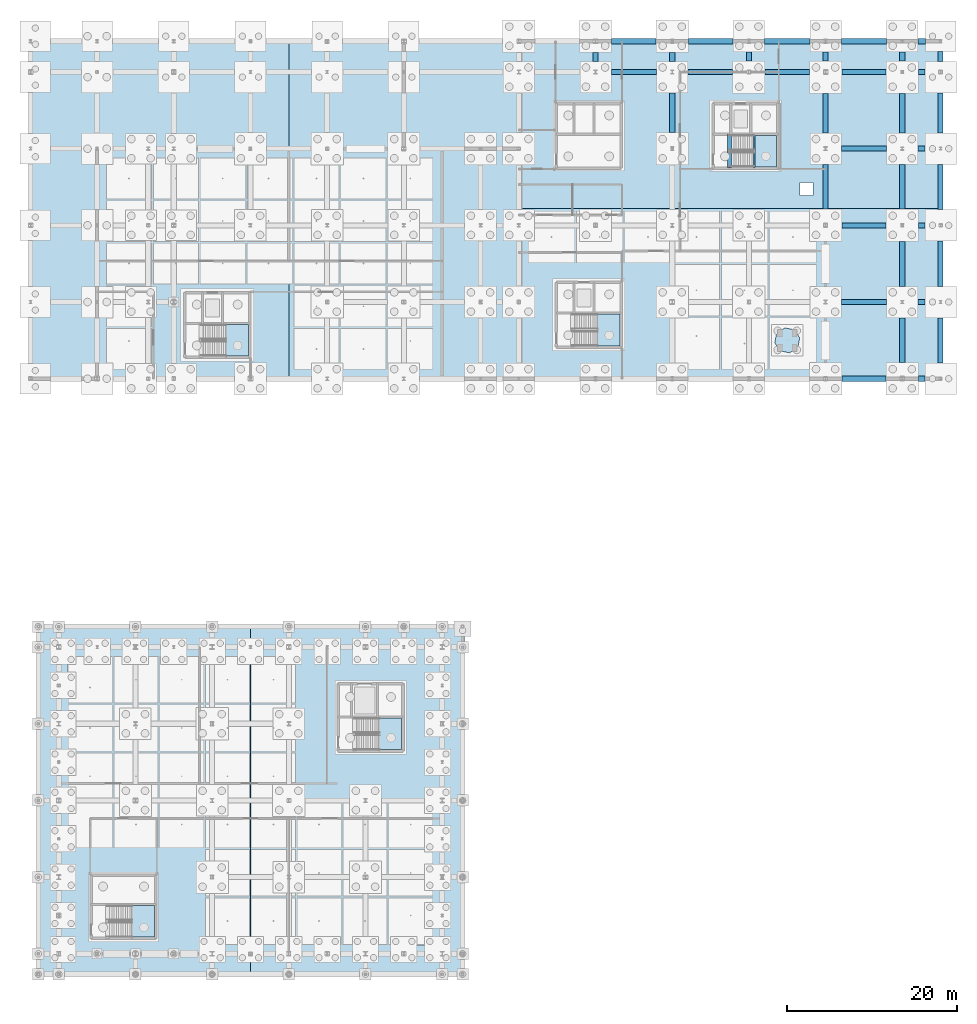
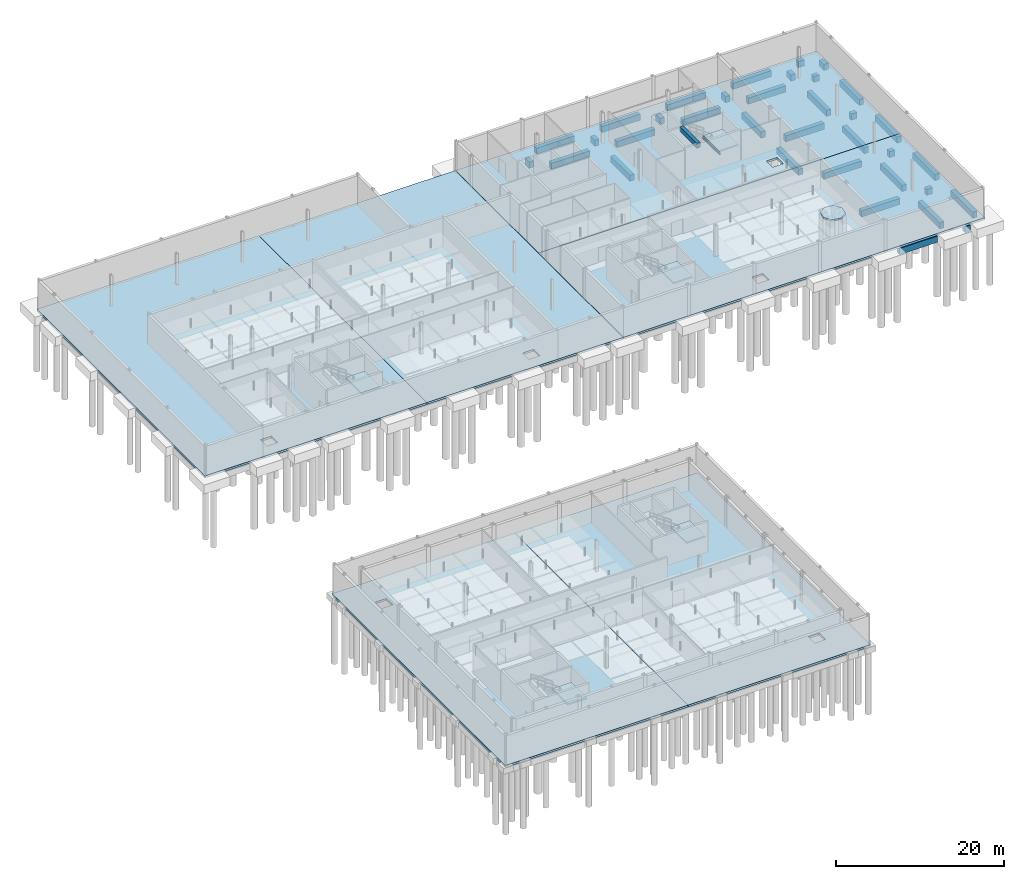
# One storey, part 20 of 48: 37 beams, 12 slabs, 5 elements without a shape of their own.
"""IFC4 building model written with IfcOpenShell, lengths in metres."""

from ifc_helpers import new_model, si_unit, direction, frame, origin, origin_2d, place, context, subcontext, project, spatial, polyline, rectangle, i_section, outline, extrude, material, layer, layer_set, material_profile, profile_set, type_object, element, aggregate, save


model = new_model("IFC4")

# Units and contexts
model_context = context("Model", 3, precision=1e-05, world=origin(), true_north=direction((0.0, 1.0)))
body_context = subcontext(model_context, "Body", "Model", "MODEL_VIEW")
ifc_project = project(units=[si_unit("LENGTHUNIT", "METRE"), si_unit("AREAUNIT", "SQUARE_METRE"), si_unit("VOLUMEUNIT", "CUBIC_METRE"), si_unit("PLANEANGLEUNIT", "RADIAN"), si_unit("MASSUNIT", "GRAM", prefix="KILO"), si_unit("THERMODYNAMICTEMPERATUREUNIT", "KELVIN"), si_unit("POWERUNIT", "WATT")], contexts=[model_context])

# Site, building, storey
site_placement = place(None, origin())
site = spatial("IfcSite", under=ifc_project, at=site_placement, CompositionType="ELEMENT")
building_placement = place(site_placement, origin())
building = spatial("IfcBuilding", under=site, at=building_placement, Name="Tallowbark Science Centre", CompositionType="ELEMENT")
storey_placement = place(building_placement, frame((0.0, 0.0, -4.5)))
storey = spatial("IfcBuildingStorey", under=building, at=storey_placement, Name="B1", CompositionType="ELEMENT", Elevation=-4.5)

# Beams
ifc_material_1 = material(Name="Concrete Grade N40 (40 MPa)", Category="concrete")
ifc_material_profile_1 = material_profile(ifc_material_1, rectangle(XDim=0.60009765625, YDim=0.89990234375, at=origin_2d()), Name="RC600x900")
ifc_profile_set_1 = profile_set([ifc_material_profile_1], Name="Concrete Grade N40 (40 MPa)")
beam_type_1 = type_object("IfcBeamType", Name="BM-GB-N40", PredefinedType="BEAM", material=ifc_profile_set_1)
beam_1_placement = place(storey_placement, frame((150.39990234375, 72.0, -0.75), z_axis=(1.0, 0.0, 0.0), x_axis=(0.0, 1.0, 0.0)))
element("IfcBeam", 1, at=beam_1_placement, inside=storey, type_object=beam_type_1, Name="Ground Tie Beam GB-X-66", PredefinedType="BEAM", context=body_context, shape_type="SweptSolid", body=[
    extrude(rectangle(XDim=0.60009765625, YDim=0.89990234375, at=origin_2d()), origin(), (0.0, 0.0, 1.0), 5.2001953125),
])
beam_2_placement = place(storey_placement, frame((159.39990234375, 72.0, -0.75), z_axis=(1.0, 0.0, 0.0), x_axis=(0.0, 1.0, 0.0)))
element("IfcBeam", 2, at=beam_2_placement, inside=storey, type_object=beam_type_1, Name="Ground Tie Beam GB-X-67", PredefinedType="BEAM", context=body_context, shape_type="SweptSolid", body=[
    extrude(rectangle(XDim=0.60009765625, YDim=0.89990234375, at=origin_2d()), origin(), (0.0, 0.0, 1.0), 0.75),
])
beam_3_placement = place(storey_placement, frame((150.35009765625, 81.0, -0.75), z_axis=(1.0, 0.0, 0.0), x_axis=(0.0, 1.0, 0.0)))
element("IfcBeam", 3, at=beam_3_placement, inside=storey, type_object=beam_type_1, Name="Ground Tie Beam GB-X-76", PredefinedType="BEAM", context=body_context, shape_type="SweptSolid", body=[
    extrude(rectangle(XDim=0.60009765625, YDim=0.89990234375, at=origin_2d()), origin(), (0.0, 0.0, 1.0), 5.2998046875),
])
beam_4_placement = place(storey_placement, frame((159.35009765625, 81.0, -0.75), z_axis=(1.0, 0.0, 0.0), x_axis=(0.0, 1.0, 0.0)))
element("IfcBeam", 4, at=beam_4_placement, inside=storey, type_object=beam_type_1, Name="Ground Tie Beam GB-X-77", PredefinedType="BEAM", context=body_context, shape_type="SweptSolid", body=[
    extrude(rectangle(XDim=0.60009765625, YDim=0.89990234375, at=origin_2d()), origin(), (0.0, 0.0, 1.0), 0.7998046875),
])
beam_5_placement = place(storey_placement, frame((150.39990234375, 90.0, -0.75), z_axis=(1.0, 0.0, 0.0), x_axis=(0.0, 1.0, 0.0)))
element("IfcBeam", 5, at=beam_5_placement, inside=storey, type_object=beam_type_1, Name="Ground Tie Beam GB-X-90", PredefinedType="BEAM", context=body_context, shape_type="SweptSolid", body=[
    extrude(rectangle(XDim=0.60009765625, YDim=0.89990234375, at=origin_2d()), origin(), (0.0, 0.0, 1.0), 5.2001953125),
])
beam_6_placement = place(storey_placement, frame((159.39990234375, 90.0, -0.75), z_axis=(1.0, 0.0, 0.0), x_axis=(0.0, 1.0, 0.0)))
element("IfcBeam", 6, at=beam_6_placement, inside=storey, type_object=beam_type_1, Name="Ground Tie Beam GB-X-91", PredefinedType="BEAM", context=body_context, shape_type="SweptSolid", body=[
    extrude(rectangle(XDim=0.60009765625, YDim=0.89990234375, at=origin_2d()), origin(), (0.0, 0.0, 1.0), 0.75),
])
beam_7_placement = place(storey_placement, frame((150.35009765625, 99.0, -0.75), z_axis=(1.0, 0.0, 0.0), x_axis=(0.0, 1.0, 0.0)))
element("IfcBeam", 7, at=beam_7_placement, inside=storey, type_object=beam_type_1, Name="Ground Tie Beam GB-X-98", PredefinedType="BEAM", context=body_context, shape_type="SweptSolid", body=[
    extrude(rectangle(XDim=0.60009765625, YDim=0.89990234375, at=origin_2d()), origin(), (0.0, 0.0, 1.0), 5.2998046875),
])
beam_8_placement = place(storey_placement, frame((159.35009765625, 99.0, -0.75), z_axis=(1.0, 0.0, 0.0), x_axis=(0.0, 1.0, 0.0)))
element("IfcBeam", 8, at=beam_8_placement, inside=storey, type_object=beam_type_1, Name="Ground Tie Beam GB-X-99", PredefinedType="BEAM", context=body_context, shape_type="SweptSolid", body=[
    extrude(rectangle(XDim=0.60009765625, YDim=0.89990234375, at=origin_2d()), origin(), (0.0, 0.0, 1.0), 0.7998046875),
])
beam_9_placement = place(storey_placement, frame((123.35009765625, 108.0, -0.75), z_axis=(1.0, 0.0, 0.0), x_axis=(0.0, 1.0, 0.0)))
element("IfcBeam", 9, at=beam_9_placement, inside=storey, type_object=beam_type_1, Name="Ground Tie Beam GB-X-107", PredefinedType="BEAM", context=body_context, shape_type="SweptSolid", body=[
    extrude(rectangle(XDim=0.60009765625, YDim=0.89990234375, at=origin_2d()), origin(), (0.0, 0.0, 1.0), 5.2998046875),
])
beam_10_placement = place(storey_placement, frame((132.35009765625, 108.0, -0.75), z_axis=(1.0, 0.0, 0.0), x_axis=(0.0, 1.0, 0.0)))
element("IfcBeam", 10, at=beam_10_placement, inside=storey, type_object=beam_type_1, Name="Ground Tie Beam GB-X-108", PredefinedType="BEAM", context=body_context, shape_type="SweptSolid", body=[
    extrude(rectangle(XDim=0.60009765625, YDim=0.89990234375, at=origin_2d()), origin(), (0.0, 0.0, 1.0), 5.25),
])
for number, where, z_axis, x_axis, name in (
    (11, (141.39990234375, 108.0, -0.75), (1.0, 0.0, 0.0), (0.0, 1.0, 0.0), "Ground Tie Beam GB-X-109"),
    (12, (150.39990234375, 108.0, -0.75), (1.0, 0.0, 0.0), (0.0, 1.0, 0.0), "Ground Tie Beam GB-X-110"),
):
    element("IfcBeam", number, at=place(storey_placement, frame(where, z_axis=z_axis, x_axis=x_axis)), inside=storey, type_object=beam_type_1, Name=name, PredefinedType="BEAM", context=body_context, shape_type="SweptSolid", body=[
        extrude(rectangle(XDim=0.60009765625, YDim=0.89990234375, at=origin_2d()), origin(), (0.0, 0.0, 1.0), 5.2001953125),
    ])
beam_11_placement = place(storey_placement, frame((159.39990234375, 108.0, -0.75), z_axis=(1.0, 0.0, 0.0), x_axis=(0.0, 1.0, 0.0)))
element("IfcBeam", 13, at=beam_11_placement, inside=storey, type_object=beam_type_1, Name="Ground Tie Beam GB-X-111", PredefinedType="BEAM", context=body_context, shape_type="SweptSolid", body=[
    extrude(rectangle(XDim=0.60009765625, YDim=0.89990234375, at=origin_2d()), origin(), (0.0, 0.0, 1.0), 0.75),
])
beam_12_placement = place(storey_placement, frame((123.39990234375, 111.60009765625, -0.75), z_axis=(1.0, 0.0, 0.0), x_axis=(0.0, 1.0, 0.0)))
element("IfcBeam", 14, at=beam_12_placement, inside=storey, type_object=beam_type_1, Name="Ground Tie Beam GB-X-119", PredefinedType="BEAM", context=body_context, shape_type="SweptSolid", body=[
    extrude(rectangle(XDim=0.60009765625, YDim=0.89990234375, at=origin_2d()), origin(), (0.0, 0.0, 1.0), 5.2001953125),
])
beam_13_placement = place(storey_placement, frame((132.39990234375, 111.60009765625, -0.75), z_axis=(1.0, 0.0, 0.0), x_axis=(0.0, 1.0, 0.0)))
element("IfcBeam", 15, at=beam_13_placement, inside=storey, type_object=beam_type_1, Name="Ground Tie Beam GB-X-120", PredefinedType="BEAM", context=body_context, shape_type="SweptSolid", body=[
    extrude(rectangle(XDim=0.60009765625, YDim=0.89990234375, at=origin_2d()), origin(), (0.0, 0.0, 1.0), 5.25),
])
for number, where, z_axis, x_axis, name in (
    (16, (141.35009765625, 111.60009765625, -0.75), (1.0, 0.0, 0.0), (0.0, 1.0, 0.0), "Ground Tie Beam GB-X-121"),
    (17, (150.35009765625, 111.60009765625, -0.75), (1.0, 0.0, 0.0), (0.0, 1.0, 0.0), "Ground Tie Beam GB-X-122"),
):
    element("IfcBeam", number, at=place(storey_placement, frame(where, z_axis=z_axis, x_axis=x_axis)), inside=storey, type_object=beam_type_1, Name=name, PredefinedType="BEAM", context=body_context, shape_type="SweptSolid", body=[
        extrude(rectangle(XDim=0.60009765625, YDim=0.89990234375, at=origin_2d()), origin(), (0.0, 0.0, 1.0), 5.2998046875),
    ])
beam_14_placement = place(storey_placement, frame((159.35009765625, 111.60009765625, -0.75), z_axis=(1.0, 0.0, 0.0), x_axis=(0.0, 1.0, 0.0)))
element("IfcBeam", 18, at=beam_14_placement, inside=storey, type_object=beam_type_1, Name="Ground Tie Beam GB-X-123", PredefinedType="BEAM", context=body_context, shape_type="SweptSolid", body=[
    extrude(rectangle(XDim=0.60009765625, YDim=0.89990234375, at=origin_2d()), origin(), (0.0, 0.0, 1.0), 0.849853515625),
])
beam_15_placement = place(storey_placement, frame((121.5, 109.25, -0.75), z_axis=(0.0, 1.0, 0.0), x_axis=(-1.0, 0.0, 0.0)))
element("IfcBeam", 19, at=beam_15_placement, inside=storey, type_object=beam_type_1, Name="Ground Tie Beam GB-Y-215", PredefinedType="BEAM", context=body_context, shape_type="SweptSolid", body=[
    extrude(rectangle(XDim=0.60009765625, YDim=0.89990234375, at=origin_2d()), origin(), (0.0, 0.0, 1.0), 1.050048828125),
])
beam_16_placement = place(storey_placement, frame((130.5, 100.89990234375, -0.75), z_axis=(0.0, 1.0, 0.0), x_axis=(-1.0, 0.0, 0.0)))
element("IfcBeam", 20, at=beam_16_placement, inside=storey, type_object=beam_type_1, Name="Ground Tie Beam GB-Y-219", PredefinedType="BEAM", context=body_context, shape_type="SweptSolid", body=[
    extrude(rectangle(XDim=0.60009765625, YDim=0.89990234375, at=origin_2d()), origin(), (0.0, 0.0, 1.0), 4.650146484375),
])
for number, where, z_axis, x_axis, name in (
    (21, (130.5, 109.25, -0.75), (0.0, 1.0, 0.0), (-1.0, 0.0, 0.0), "Ground Tie Beam GB-Y-220"),
    (22, (139.5, 109.300048828125, -0.75), (0.0, 1.0, 0.0), (-1.0, 0.0, 0.0), "Ground Tie Beam GB-Y-223"),
):
    element("IfcBeam", number, at=place(storey_placement, frame(where, z_axis=z_axis, x_axis=x_axis)), inside=storey, type_object=beam_type_1, Name=name, PredefinedType="BEAM", context=body_context, shape_type="SweptSolid", body=[
        extrude(rectangle(XDim=0.60009765625, YDim=0.89990234375, at=origin_2d()), origin(), (0.0, 0.0, 1.0), 1.050048828125),
    ])
beam_17_placement = place(storey_placement, frame((148.5, 91.89990234375, -0.75), z_axis=(0.0, 1.0, 0.0), x_axis=(-1.0, 0.0, 0.0)))
element("IfcBeam", 23, at=beam_17_placement, inside=storey, type_object=beam_type_1, Name="Ground Tie Beam GB-Y-224", PredefinedType="BEAM", context=body_context, shape_type="SweptSolid", body=[
    extrude(rectangle(XDim=0.60009765625, YDim=0.89990234375, at=origin_2d()), origin(), (0.0, 0.0, 1.0), 5.25),
])
beam_18_placement = place(storey_placement, frame((148.5, 100.85009765625, -0.75), z_axis=(0.0, 1.0, 0.0), x_axis=(-1.0, 0.0, 0.0)))
element("IfcBeam", 24, at=beam_18_placement, inside=storey, type_object=beam_type_1, Name="Ground Tie Beam GB-Y-225", PredefinedType="BEAM", context=body_context, shape_type="SweptSolid", body=[
    extrude(rectangle(XDim=0.60009765625, YDim=0.89990234375, at=origin_2d()), origin(), (0.0, 0.0, 1.0), 4.64990234375),
])
beam_19_placement = place(storey_placement, frame((148.5, 109.300048828125, -0.75), z_axis=(0.0, 1.0, 0.0), x_axis=(-1.0, 0.0, 0.0)))
element("IfcBeam", 25, at=beam_19_placement, inside=storey, type_object=beam_type_1, Name="Ground Tie Beam GB-Y-226", PredefinedType="BEAM", context=body_context, shape_type="SweptSolid", body=[
    extrude(rectangle(XDim=0.60009765625, YDim=0.89990234375, at=origin_2d()), origin(), (0.0, 0.0, 1.0), 1.050048828125),
])
for number, where, z_axis, x_axis, name in (
    (26, (157.5, 73.89990234375, -0.75), (0.0, 1.0, 0.0), (-1.0, 0.0, 0.0), "Ground Tie Beam GB-Y-227"),
    (27, (157.5, 82.85009765625, -0.75), (0.0, 1.0, 0.0), (-1.0, 0.0, 0.0), "Ground Tie Beam GB-Y-228"),
    (28, (157.5, 91.89990234375, -0.75), (0.0, 1.0, 0.0), (-1.0, 0.0, 0.0), "Ground Tie Beam GB-Y-229"),
):
    element("IfcBeam", number, at=place(storey_placement, frame(where, z_axis=z_axis, x_axis=x_axis)), inside=storey, type_object=beam_type_1, Name=name, PredefinedType="BEAM", context=body_context, shape_type="SweptSolid", body=[
        extrude(rectangle(XDim=0.60009765625, YDim=0.89990234375, at=origin_2d()), origin(), (0.0, 0.0, 1.0), 5.25),
    ])
beam_20_placement = place(storey_placement, frame((157.5, 100.85009765625, -0.75), z_axis=(0.0, 1.0, 0.0), x_axis=(-1.0, 0.0, 0.0)))
element("IfcBeam", 29, at=beam_20_placement, inside=storey, type_object=beam_type_1, Name="Ground Tie Beam GB-Y-230", PredefinedType="BEAM", context=body_context, shape_type="SweptSolid", body=[
    extrude(rectangle(XDim=0.60009765625, YDim=0.89990234375, at=origin_2d()), origin(), (0.0, 0.0, 1.0), 4.64990234375),
])
beam_21_placement = place(storey_placement, frame((157.5, 109.300048828125, -0.75), z_axis=(0.0, 1.0, 0.0), x_axis=(-1.0, 0.0, 0.0)))
element("IfcBeam", 30, at=beam_21_placement, inside=storey, type_object=beam_type_1, Name="Ground Tie Beam GB-Y-231", PredefinedType="BEAM", context=body_context, shape_type="SweptSolid", body=[
    extrude(rectangle(XDim=0.60009765625, YDim=0.89990234375, at=origin_2d()), origin(), (0.0, 0.0, 1.0), 1.050048828125),
])
for number, where, z_axis, x_axis, name in (
    (31, (162.0, 73.85009765625, -0.75), (0.0, 1.0, 0.0), (-1.0, 0.0, 0.0), "Ground Tie Beam GB-Y-232"),
    (32, (162.0, 82.85009765625, -0.75), (0.0, 1.0, 0.0), (-1.0, 0.0, 0.0), "Ground Tie Beam GB-Y-233"),
    (33, (162.0, 91.85009765625, -0.75), (0.0, 1.0, 0.0), (-1.0, 0.0, 0.0), "Ground Tie Beam GB-Y-234"),
):
    element("IfcBeam", number, at=place(storey_placement, frame(where, z_axis=z_axis, x_axis=x_axis)), inside=storey, type_object=beam_type_1, Name=name, PredefinedType="BEAM", context=body_context, shape_type="SweptSolid", body=[
        extrude(rectangle(XDim=0.60009765625, YDim=0.89990234375, at=origin_2d()), origin(), (0.0, 0.0, 1.0), 5.2998046875),
    ])
beam_22_placement = place(storey_placement, frame((162.0, 100.85009765625, -0.75), z_axis=(0.0, 1.0, 0.0), x_axis=(-1.0, 0.0, 0.0)))
element("IfcBeam", 34, at=beam_22_placement, inside=storey, type_object=beam_type_1, Name="Ground Tie Beam GB-Y-235", PredefinedType="BEAM", context=body_context, shape_type="SweptSolid", body=[
    extrude(rectangle(XDim=0.60009765625, YDim=0.89990234375, at=origin_2d()), origin(), (0.0, 0.0, 1.0), 4.699951171875),
])
beam_23_placement = place(storey_placement, frame((162.0, 109.25, -0.75), z_axis=(0.0, 1.0, 0.0), x_axis=(-1.0, 0.0, 0.0)))
element("IfcBeam", 35, at=beam_23_placement, inside=storey, type_object=beam_type_1, Name="Ground Tie Beam GB-Y-236", PredefinedType="BEAM", context=body_context, shape_type="SweptSolid", body=[
    extrude(rectangle(XDim=0.60009765625, YDim=0.89990234375, at=origin_2d()), origin(), (0.0, 0.0, 1.0), 1.14990234375),
])
ifc_material_profile_2 = material_profile(ifc_material_1, rectangle(XDim=0.449951171875, YDim=0.64990234375, at=origin_2d()), Name="RC450x650")
ifc_profile_set_2 = profile_set([ifc_material_profile_2], Name="Concrete Grade N40 (40 MPa)")
beam_type_2 = type_object("IfcBeamType", Name="BM-GB2-N40", PredefinedType="BEAM", material=ifc_profile_set_2)
beam_24_placement = place(storey_placement, frame((137.2099609375, 96.699951171875, 4.175048828125), z_axis=(0.0, 1.0, 0.0), x_axis=(-1.0, 0.0, 0.0)))
element("IfcBeam", 36, at=beam_24_placement, inside=storey, type_object=beam_type_2, Name="Stair ST-04 Landing Nosing Beam B1", PredefinedType="BEAM", context=body_context, shape_type="SweptSolid", body=[
    extrude(rectangle(XDim=0.449951171875, YDim=0.64990234375, at=origin_2d()), origin(), (0.0, 0.0, 1.0), 3.9951171875),
])
ifc_material_2 = material(Name="Structural Steel Grade 300PLUS (300 MPa)", Category="steel")
ifc_material_profile_3 = material_profile(ifc_material_2, i_section(OverallWidth=0.146484375, OverallDepth=0.256103515625, WebThickness=0.00634765625, FlangeThickness=0.010986328125, FilletRadius=0.0087890625, at=origin_2d()), Name="250UB37.3")
ifc_profile_set_3 = profile_set([ifc_material_profile_3], Name="Structural Steel Grade 300PLUS (300 MPa)")
beam_type_3 = type_object("IfcBeamType", Name="JST-UB250", PredefinedType="JOIST", material=ifc_profile_set_3)
beam_25_placement = place(storey_placement, frame((140.125, 96.699951171875, 1.921875), z_axis=(0.0, 1.0, 0.0), x_axis=(-1.0, 0.0, 0.0)))
element("IfcBeam", 37, at=beam_25_placement, inside=storey, type_object=beam_type_3, Name="Stair ST-04 Half-Landing Trimmer B1", PredefinedType="JOIST", context=body_context, shape_type="SweptSolid", body=[
    extrude(i_section(OverallWidth=0.146484375, OverallDepth=0.256103515625, WebThickness=0.00634765625, FlangeThickness=0.010986328125, FilletRadius=0.0087890625, at=origin_2d()), origin(), (0.0, 0.0, 1.0), 3.9951171875),
])

# Slabs
ifc_layer_1 = layer(ifc_material_1, 0.300048828125)
ifc_layer_set_1 = layer_set([ifc_layer_1], Name="Concrete Grade N40 (40 MPa)")
slab_type_1 = type_object("IfcSlabType", Name="SLB-BASE-300", PredefinedType="BASESLAB", material=ifc_layer_set_1)
slab_1_placement = place(storey_placement, frame((0.0, 0.0, -0.300048828125)))
element("IfcSlab", 38, at=slab_1_placement, inside=storey, type_object=slab_type_1, Name="Exhibition Hall West Slab SLB-CUB-W-B1", PredefinedType="BASESLAB", context=body_context, shape_type="SweptSolid", body=[
    extrude(outline(polyline([(55.89990234375, 1.89990234375), (81.0, 1.89990234375), (81.0, 43.10009765625), (55.89990234375, 43.10009765625), (55.89990234375, 1.89990234375)]), holes=[polyline([(59.5, 37.5), (61.0, 37.5), (61.0, 39.0), (59.5, 39.0), (59.5, 37.5)])]), origin(), (0.0, 0.0, 1.0), 0.300048828125),
])
slab_2_placement = place(storey_placement, frame((0.0, 0.0, -0.300048828125)))
element("IfcSlab", 39, at=slab_2_placement, inside=storey, type_object=slab_type_1, Name="Exhibition Hall East Slab SLB-CUB-E-B1", PredefinedType="BASESLAB", context=body_context, shape_type="SweptSolid", body=[
    extrude(outline(polyline([(81.0, 1.89990234375), (106.10009765625, 1.89990234375), (106.10009765625, 43.10009765625), (81.0, 43.10009765625), (81.0, 1.89990234375)]), holes=[polyline([(100.5, 5.5), (102.0, 5.5), (102.0, 7.0), (100.5, 7.0), (100.5, 5.5)])]), origin(), (0.0, 0.0, 1.0), 0.300048828125),
])
slab_3_placement = place(storey_placement, frame((0.0, 0.0, -0.300048828125)))
element("IfcSlab", 40, at=slab_3_placement, inside=storey, type_object=slab_type_1, Name="Laboratories West Basement Slab SLB-LAB-W-B1", PredefinedType="BASESLAB", context=body_context, shape_type="SweptSolid", body=[
    extrude(outline(polyline([(55.0, 71.800048828125), (85.5, 71.800048828125), (85.5, 111.800048828125), (55.0, 111.800048828125), (55.0, 71.800048828125)]), holes=[polyline([(64.5, 73.5), (66.0, 73.5), (66.0, 75.0), (64.5, 75.0), (64.5, 73.5)])]), origin(), (0.0, 0.0, 1.0), 0.300048828125),
])
slab_4_placement = place(storey_placement, frame((0.0, 0.0, -0.300048828125)))
element("IfcSlab", 41, at=slab_4_placement, inside=storey, type_object=slab_type_1, Name="Laboratories East Basement Slab SLB-LAB-E-B1", PredefinedType="BASESLAB", context=body_context, shape_type="SweptSolid", body=[
    extrude(outline(polyline([(85.5, 71.800048828125), (112.47509765625, 71.800048828125), (112.47509765625, 111.800048828125), (85.5, 111.800048828125), (85.5, 71.800048828125)]), holes=[polyline([(100.5, 73.5), (102.0, 73.5), (102.0, 75.0), (100.5, 75.0), (100.5, 73.5)])]), origin(), (0.0, 0.0, 1.0), 0.300048828125),
])
slab_5_placement = place(storey_placement, frame((0.0, 0.0, -0.300048828125)))
element("IfcSlab", 42, at=slab_5_placement, inside=storey, type_object=slab_type_1, Name="Observatory South Basement Slab SLB-OBS-S-B1", PredefinedType="BASESLAB", context=body_context, shape_type="SweptSolid", body=[
    extrude(outline(polyline([(112.52490234375, 71.800048828125), (162.199951171875, 71.800048828125), (162.199951171875, 92.0), (112.52490234375, 92.0), (112.52490234375, 71.800048828125)]), holes=[polyline([(132.0, 73.5), (133.5, 73.5), (133.5, 75.0), (132.0, 75.0), (132.0, 73.5)])]), origin(), (0.0, 0.0, 1.0), 0.300048828125),
])
slab_6_placement = place(storey_placement, frame((0.0, 0.0, -0.300048828125)))
element("IfcSlab", 43, at=slab_6_placement, inside=storey, type_object=slab_type_1, Name="Observatory North Basement Slab SLB-OBS-N-B1", PredefinedType="BASESLAB", context=body_context, shape_type="SweptSolid", body=[
    extrude(outline(polyline([(112.52490234375, 92.0), (162.199951171875, 92.0), (162.199951171875, 111.800048828125), (112.52490234375, 111.800048828125), (112.52490234375, 92.0)]), holes=[polyline([(145.5, 93.5), (147.0, 93.5), (147.0, 95.0), (145.5, 95.0), (145.5, 93.5)])]), origin(), (0.0, 0.0, 1.0), 0.300048828125),
])
ifc_layer_2 = layer(ifc_material_1, 0.239990234375)
ifc_layer_set_2 = layer_set([ifc_layer_2], Name="Concrete Grade N40 (40 MPa)")
slab_type_2 = type_object("IfcSlabType", Name="SLB-GND-240", PredefinedType="FLOOR", material=ifc_layer_set_2)
slab_7_placement = place(storey_placement, frame((0.0, 0.0, 4.02001953125)))
element("IfcSlab", 44, at=slab_7_placement, inside=storey, type_object=slab_type_2, Name="Vibration-Isolated Telescope Pedestal SLB-TEL-PED-L00", PredefinedType="FLOOR", context=body_context, shape_type="SweptSolid", body=[
    extrude(outline(polyline([(145.47119140625, 76.792724609375), (144.833251953125, 77.747314453125), (143.707275390625, 77.97119140625), (142.752685546875, 77.333251953125), (142.52880859375, 76.207275390625), (143.166748046875, 75.252685546875), (144.292724609375, 75.02880859375), (145.247314453125, 75.666748046875), (145.47119140625, 76.792724609375)])), origin(), (0.0, 0.0, 1.0), 0.239990234375),
])

# Stair, slab
stair_type_1 = type_object("IfcStairType", Name="STR-C1", PredefinedType="HALF_TURN_STAIR", material=ifc_material_1)
stair_1_placement = place(storey_placement, origin())
stair_1 = element("IfcStair", 45, at=stair_1_placement, inside=storey, type_object=stair_type_1, Name="B1 Fire Stair ST-01", PredefinedType="HALF_TURN_STAIR")
ifc_layer_3 = layer(ifc_material_1, 0.199951171875)
ifc_layer_set_3 = layer_set([ifc_layer_3], Name="Concrete Grade N40 (40 MPa)")
slab_type_3 = type_object("IfcSlabType", Name="SLB-LND-200", PredefinedType="LANDING", material=ifc_layer_set_3)
slab_8_placement = place(storey_placement, frame((0.0, 0.0, 2.050048828125)))
slab_8 = element("IfcSlab", 46, at=slab_8_placement, type_object=slab_type_3, Name="ST-01 landing 1", PredefinedType="LANDING", context=body_context, shape_type="SweptSolid", body=[
    extrude(outline(polyline([(78.125, 74.64990234375), (80.75, 74.64990234375), (80.75, 78.3701171875), (78.125, 78.3701171875), (78.125, 74.64990234375)])), origin(), (0.0, 0.0, 1.0), 0.199951171875),
])
aggregate(stair_1, [slab_8])

stair_type_2 = type_object("IfcStairType", Name="STR-C2", PredefinedType="HALF_TURN_STAIR", material=ifc_material_1)
stair_2_placement = place(storey_placement, origin())
stair_2 = element("IfcStair", 47, at=stair_2_placement, inside=storey, type_object=stair_type_2, Name="B1 Fire Stair ST-02", PredefinedType="HALF_TURN_STAIR")
slab_9_placement = place(storey_placement, frame((0.0, 0.0, 2.050048828125)))
slab_9 = element("IfcSlab", 48, at=slab_9_placement, type_object=slab_type_3, Name="ST-02 landing 1", PredefinedType="LANDING", context=body_context, shape_type="SweptSolid", body=[
    extrude(outline(polyline([(121.72509765625, 75.85009765625), (124.35009765625, 75.85009765625), (124.35009765625, 79.570068359375), (121.72509765625, 79.570068359375), (121.72509765625, 75.85009765625)])), origin(), (0.0, 0.0, 1.0), 0.199951171875),
])
aggregate(stair_2, [slab_9])

stair_type_3 = type_object("IfcStairType", Name="STR-C3", PredefinedType="HALF_TURN_STAIR", material=ifc_material_1)
stair_3_placement = place(storey_placement, origin())
stair_3 = element("IfcStair", 49, at=stair_3_placement, inside=storey, type_object=stair_type_3, Name="B1 Fire Stair ST-03", PredefinedType="HALF_TURN_STAIR")
slab_10_placement = place(storey_placement, frame((0.0, 0.0, 2.050048828125)))
slab_10 = element("IfcSlab", 50, at=slab_10_placement, type_object=slab_type_3, Name="ST-03 landing 1", PredefinedType="LANDING", context=body_context, shape_type="SweptSolid", body=[
    extrude(outline(polyline([(96.125, 28.449951171875), (98.75, 28.449951171875), (98.75, 32.169921875), (96.125, 32.169921875), (96.125, 28.449951171875)])), origin(), (0.0, 0.0, 1.0), 0.199951171875),
])
aggregate(stair_3, [slab_10])

stair_type_4 = type_object("IfcStairType", Name="STR-C4", PredefinedType="HALF_TURN_STAIR", material=ifc_material_1)
stair_4_placement = place(storey_placement, origin())
stair_4 = element("IfcStair", 51, at=stair_4_placement, inside=storey, type_object=stair_type_4, Name="B1 Fire Stair ST-04", PredefinedType="HALF_TURN_STAIR")
slab_11_placement = place(storey_placement, frame((0.0, 0.0, 2.050048828125)))
slab_11 = element("IfcSlab", 52, at=slab_11_placement, type_object=slab_type_3, Name="ST-04 landing 1", PredefinedType="LANDING", context=body_context, shape_type="SweptSolid", body=[
    extrude(outline(polyline([(140.125, 96.85009765625), (142.75, 96.85009765625), (142.75, 100.570068359375), (140.125, 100.570068359375), (140.125, 96.85009765625)])), origin(), (0.0, 0.0, 1.0), 0.199951171875),
])
aggregate(stair_4, [slab_11])

stair_type_5 = type_object("IfcStairType", Name="STR-C7", PredefinedType="HALF_TURN_STAIR", material=ifc_material_1)
stair_5_placement = place(storey_placement, origin())
stair_5 = element("IfcStair", 53, at=stair_5_placement, inside=storey, type_object=stair_type_5, Name="B1 Fire Stair ST-07", PredefinedType="HALF_TURN_STAIR")
slab_12_placement = place(storey_placement, frame((0.0, 0.0, 2.050048828125)))
slab_12 = element("IfcSlab", 54, at=slab_12_placement, type_object=slab_type_3, Name="ST-07 landing 1", PredefinedType="LANDING", context=body_context, shape_type="SweptSolid", body=[
    extrude(outline(polyline([(67.125, 6.449951171875), (69.75, 6.449951171875), (69.75, 10.169921875), (67.125, 10.169921875), (67.125, 6.449951171875)])), origin(), (0.0, 0.0, 1.0), 0.199951171875),
])
aggregate(stair_5, [slab_12])

save(model, "model.ifc")
